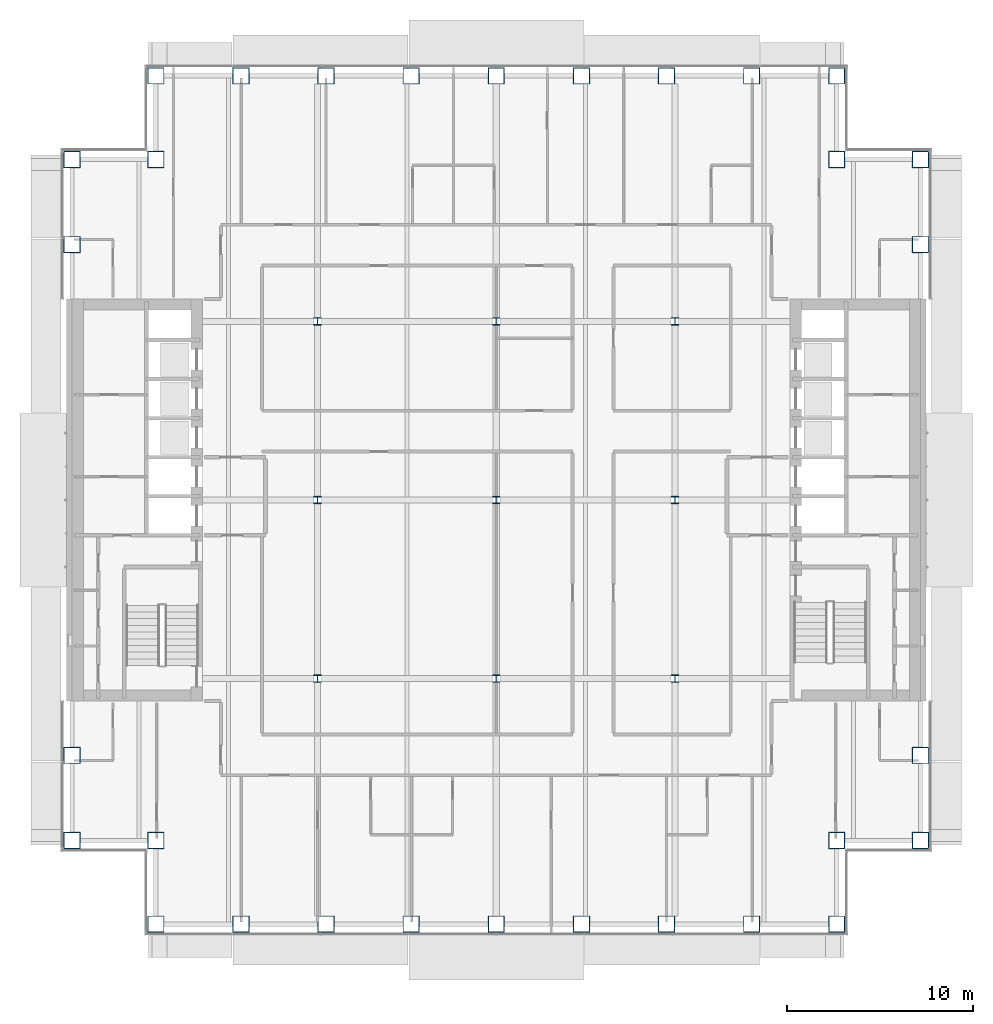
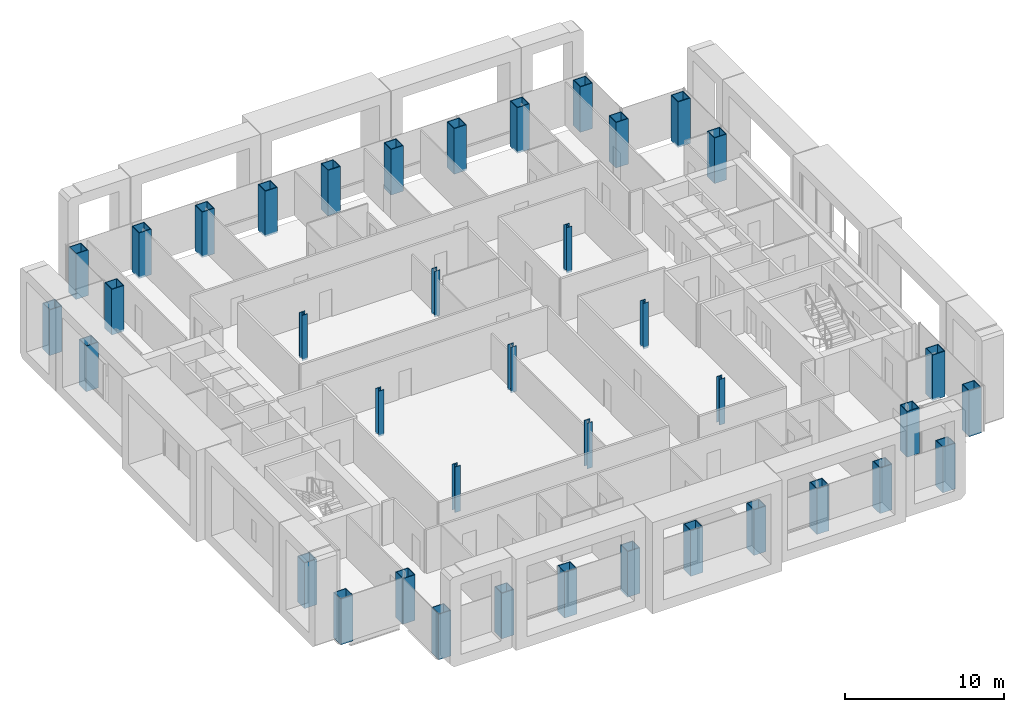
# One storey, part 1 of 20: 39 columns.
"""IFC4 building model written with IfcOpenShell, lengths in metres."""

from ifc_helpers import new_model, si_unit, direction, frame, origin, origin_2d, place, context, subcontext, project, spatial, hollow_rectangle, i_section, extrude, material, material_profile, profile_set, type_object, element, save


model = new_model("IFC4")

# Units and contexts
model_context = context("Model", 3, precision=1e-05, world=origin(), true_north=direction((0.0, 1.0)))
body_context = subcontext(model_context, "Body", "Model", "MODEL_VIEW")
ifc_project = project(units=[si_unit("LENGTHUNIT", "METRE"), si_unit("AREAUNIT", "SQUARE_METRE"), si_unit("VOLUMEUNIT", "CUBIC_METRE"), si_unit("PLANEANGLEUNIT", "RADIAN"), si_unit("MASSUNIT", "GRAM", prefix="KILO")], contexts=[model_context])

# Site, building, storey
site_placement = place(None, origin())
site = spatial("IfcSite", under=ifc_project, at=site_placement, CompositionType="ELEMENT")
building_placement = place(site_placement, origin())
building = spatial("IfcBuilding", under=site, at=building_placement, Name="Cobrizo Arcos Hotel Tower", CompositionType="ELEMENT")
storey_placement = place(building_placement, frame((0.0, 0.0, 110.0)))
storey = spatial("IfcBuildingStorey", under=building, at=storey_placement, Name="L27", CompositionType="ELEMENT", Elevation=110.0)

# Columns
ifc_material_1 = material(Name="Steel ASTM A572 Grade 50", Category="steel")
ifc_material_profile_1 = material_profile(ifc_material_1, hollow_rectangle(XDim=0.89990234375, YDim=0.89990234375, WallThickness=0.050048828125, at=origin_2d()), Name="BOX 900X900X50")
ifc_profile_set_1 = profile_set([ifc_material_profile_1], Name="Steel ASTM A572 Grade 50")
column_type_1 = type_object("IfcColumnType", Name="BOX 900X900X50 column", PredefinedType="COLUMN", material=ifc_profile_set_1)
for number, where, z_axis, x_axis, name in (
    (1, (-18.300048828125, 22.800048828125, -0.14990234375), (0.0, 0.0, 1.0), (1.0, 0.0, 0.0), "Perimeter column C6, L27, no. 00"),
    (2, (-18.300048828125, -22.800048828125, -0.14990234375), (0.0, 0.0, 1.0), (1.0, 0.0, 0.0), "Perimeter column C6, L27, no. 01"),
    (3, (-13.72509765625, 22.800048828125, -0.14990234375), (0.0, 0.0, 1.0), (1.0, 0.0, 0.0), "Perimeter column C6, L27, no. 02"),
    (4, (-13.72509765625, -22.800048828125, -0.14990234375), (0.0, 0.0, 1.0), (1.0, 0.0, 0.0), "Perimeter column C6, L27, no. 03"),
    (5, (-9.14990234375, 22.800048828125, -0.14990234375), (0.0, 0.0, 1.0), (1.0, 0.0, 0.0), "Perimeter column C6, L27, no. 04"),
    (6, (-9.14990234375, -22.800048828125, -0.14990234375), (0.0, 0.0, 1.0), (1.0, 0.0, 0.0), "Perimeter column C6, L27, no. 05"),
    (7, (-4.574951171875, 22.800048828125, -0.14990234375), (0.0, 0.0, 1.0), (1.0, 0.0, 0.0), "Perimeter column C6, L27, no. 06"),
    (8, (-4.574951171875, -22.800048828125, -0.14990234375), (0.0, 0.0, 1.0), (1.0, 0.0, 0.0), "Perimeter column C6, L27, no. 07"),
    (9, (0.0, 22.800048828125, -0.14990234375), (0.0, 0.0, 1.0), (1.0, 0.0, 0.0), "Perimeter column C6, L27, no. 08"),
    (10, (0.0, -22.800048828125, -0.14990234375), (0.0, 0.0, 1.0), (1.0, 0.0, 0.0), "Perimeter column C6, L27, no. 09"),
    (11, (4.574951171875, 22.800048828125, -0.14990234375), (0.0, 0.0, 1.0), (1.0, 0.0, 0.0), "Perimeter column C6, L27, no. 10"),
    (12, (4.574951171875, -22.800048828125, -0.14990234375), (0.0, 0.0, 1.0), (1.0, 0.0, 0.0), "Perimeter column C6, L27, no. 11"),
    (13, (9.14990234375, 22.800048828125, -0.14990234375), (0.0, 0.0, 1.0), (1.0, 0.0, 0.0), "Perimeter column C6, L27, no. 12"),
    (14, (9.14990234375, -22.800048828125, -0.14990234375), (0.0, 0.0, 1.0), (1.0, 0.0, 0.0), "Perimeter column C6, L27, no. 13"),
    (15, (13.72509765625, 22.800048828125, -0.14990234375), (0.0, 0.0, 1.0), (1.0, 0.0, 0.0), "Perimeter column C6, L27, no. 14"),
    (16, (13.72509765625, -22.800048828125, -0.14990234375), (0.0, 0.0, 1.0), (1.0, 0.0, 0.0), "Perimeter column C6, L27, no. 15"),
    (17, (18.300048828125, 22.800048828125, -0.14990234375), (0.0, 0.0, 1.0), (1.0, 0.0, 0.0), "Perimeter column C6, L27, no. 16"),
    (18, (18.300048828125, -22.800048828125, -0.14990234375), (0.0, 0.0, 1.0), (1.0, 0.0, 0.0), "Perimeter column C6, L27, no. 17"),
    (19, (22.800048828125, -18.300048828125, -0.14990234375), (0.0, 0.0, 1.0), (1.0, 0.0, 0.0), "Perimeter column C6, L27, no. 18"),
    (20, (-22.800048828125, -18.300048828125, -0.14990234375), (0.0, 0.0, 1.0), (1.0, 0.0, 0.0), "Perimeter column C6, L27, no. 19"),
    (21, (22.800048828125, -13.72509765625, -0.14990234375), (0.0, 0.0, 1.0), (1.0, 0.0, 0.0), "Perimeter column C6, L27, no. 20"),
    (22, (-22.800048828125, -13.72509765625, -0.14990234375), (0.0, 0.0, 1.0), (1.0, 0.0, 0.0), "Perimeter column C6, L27, no. 21"),
    (23, (22.800048828125, 13.72509765625, -0.14990234375), (0.0, 0.0, 1.0), (1.0, 0.0, 0.0), "Perimeter column C6, L27, no. 22"),
    (24, (-22.800048828125, 13.72509765625, -0.14990234375), (0.0, 0.0, 1.0), (1.0, 0.0, 0.0), "Perimeter column C6, L27, no. 23"),
    (25, (22.800048828125, 18.300048828125, -0.14990234375), (0.0, 0.0, 1.0), (1.0, 0.0, 0.0), "Perimeter column C6, L27, no. 24"),
    (26, (-22.800048828125, 18.300048828125, -0.14990234375), (0.0, 0.0, 1.0), (1.0, 0.0, 0.0), "Perimeter column C6, L27, no. 25"),
    (27, (-18.300048828125, -18.300048828125, -0.14990234375), (0.0, 0.0, 1.0), (1.0, 0.0, 0.0), "Perimeter column C6, L27, no. 26"),
    (28, (-18.300048828125, 18.300048828125, -0.14990234375), (0.0, 0.0, 1.0), (1.0, 0.0, 0.0), "Perimeter column C6, L27, no. 27"),
    (29, (18.300048828125, -18.300048828125, -0.14990234375), (0.0, 0.0, 1.0), (1.0, 0.0, 0.0), "Perimeter column C6, L27, no. 28"),
    (30, (18.300048828125, 18.300048828125, -0.14990234375), (0.0, 0.0, 1.0), (1.0, 0.0, 0.0), "Perimeter column C6, L27, no. 29"),
):
    element("IfcColumn", number, at=place(storey_placement, frame(where, z_axis=z_axis, x_axis=x_axis)), inside=storey, type_object=column_type_1, Name=name, PredefinedType="COLUMN", context=body_context, shape_type="SweptSolid", body=[
        extrude(hollow_rectangle(XDim=0.89990234375, YDim=0.89990234375, WallThickness=0.050048828125, at=origin_2d()), origin(), (0.0, 0.0, 1.0), 3.5),
    ])
ifc_material_2 = material(Name="Steel ASTM A992 Grade 50", Category="steel")
ifc_material_profile_2 = material_profile(ifc_material_2, i_section(OverallWidth=0.398681640625, OverallDepth=0.393798828125, WebThickness=0.022705078125, FlangeThickness=0.03662109375, at=origin_2d()), Name="W14X193")
ifc_profile_set_2 = profile_set([ifc_material_profile_2], Name="Steel ASTM A992 Grade 50")
column_type_2 = type_object("IfcColumnType", Name="W14X193 interior column", PredefinedType="COLUMN", material=ifc_profile_set_2)
for number, where, z_axis, x_axis, name in (
    (31, (-9.60009765625, -9.60009765625, -0.14990234375), (0.0, 0.0, 1.0), (1.0, 0.0, 0.0), "Interior column C7, L27, no. 00"),
    (32, (-9.60009765625, 0.0, -0.14990234375), (0.0, 0.0, 1.0), (1.0, 0.0, 0.0), "Interior column C7, L27, no. 01"),
    (33, (-9.60009765625, 9.60009765625, -0.14990234375), (0.0, 0.0, 1.0), (1.0, 0.0, 0.0), "Interior column C7, L27, no. 02"),
    (34, (0.0, -9.60009765625, -0.14990234375), (0.0, 0.0, 1.0), (1.0, 0.0, 0.0), "Interior column C7, L27, no. 03"),
    (35, (0.0, 0.0, -0.14990234375), (0.0, 0.0, 1.0), (1.0, 0.0, 0.0), "Interior column C7, L27, no. 04"),
    (36, (0.0, 9.60009765625, -0.14990234375), (0.0, 0.0, 1.0), (1.0, 0.0, 0.0), "Interior column C7, L27, no. 05"),
    (37, (9.60009765625, -9.60009765625, -0.14990234375), (0.0, 0.0, 1.0), (1.0, 0.0, 0.0), "Interior column C7, L27, no. 06"),
    (38, (9.60009765625, 0.0, -0.14990234375), (0.0, 0.0, 1.0), (1.0, 0.0, 0.0), "Interior column C7, L27, no. 07"),
    (39, (9.60009765625, 9.60009765625, -0.14990234375), (0.0, 0.0, 1.0), (1.0, 0.0, 0.0), "Interior column C7, L27, no. 08"),
):
    element("IfcColumn", number, at=place(storey_placement, frame(where, z_axis=z_axis, x_axis=x_axis)), inside=storey, type_object=column_type_2, Name=name, PredefinedType="COLUMN", context=body_context, shape_type="SweptSolid", body=[
        extrude(i_section(OverallWidth=0.398681640625, OverallDepth=0.393798828125, WebThickness=0.022705078125, FlangeThickness=0.03662109375, at=origin_2d()), origin(), (0.0, 0.0, 1.0), 3.5),
    ])

save(model, "model.ifc")
